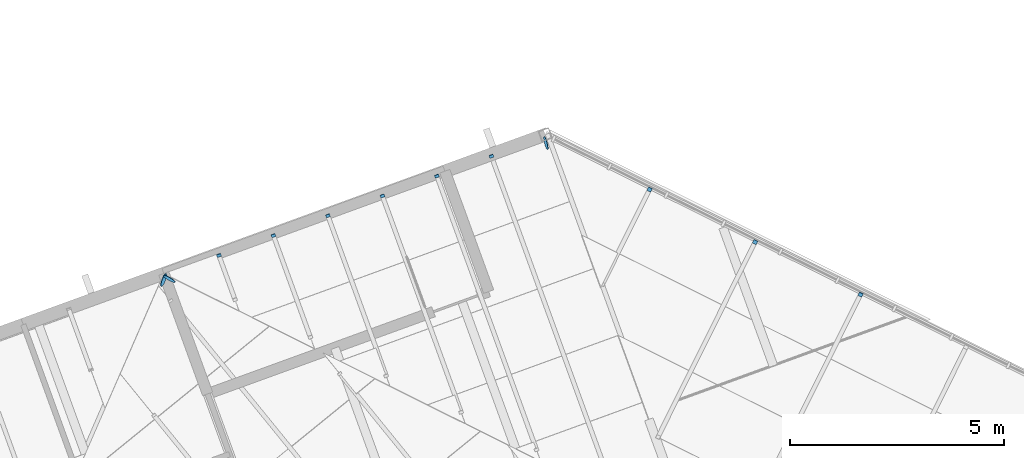
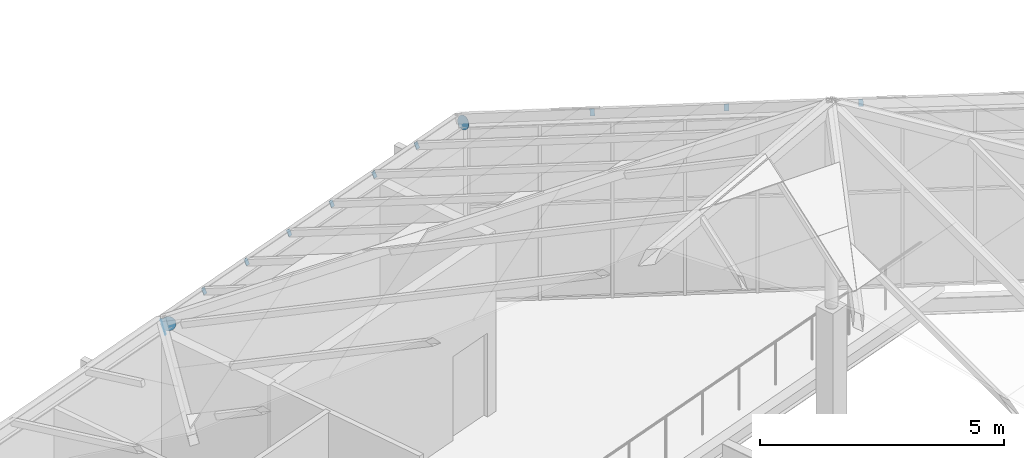
# One storey, part 71 of 95: 12 discrete accessories.
"""IFC4 building model written with IfcOpenShell, lengths in metres."""

from ifc_helpers import new_model, si_unit, direction, frame, origin, origin_2d, place, context, subcontext, project, spatial, rectangle, circle, extrude, material, layer, layer_set, type_object, element, save


model = new_model("IFC4")

# Units and contexts
model_context = context("Model", 3, precision=1e-05, world=origin(), true_north=direction((0.0, 1.0)))
body_context = subcontext(model_context, "Body", "Model", "MODEL_VIEW")
ifc_project = project(units=[si_unit("LENGTHUNIT", "METRE"), si_unit("AREAUNIT", "SQUARE_METRE"), si_unit("VOLUMEUNIT", "CUBIC_METRE"), si_unit("PLANEANGLEUNIT", "RADIAN"), si_unit("MASSUNIT", "GRAM", prefix="KILO")], contexts=[model_context])

# Site, building, storey
site_placement = place(None, origin())
site = spatial("IfcSite", under=ifc_project, at=site_placement, CompositionType="ELEMENT")
building_placement = place(site_placement, origin())
building = spatial("IfcBuilding", under=site, at=building_placement, Name="Windward Yard Aquatics Centre", CompositionType="ELEMENT")
storey_placement = place(building_placement, frame((0.0, 0.0, 9.39990234375)))
storey = spatial("IfcBuildingStorey", under=building, at=storey_placement, Name="L02", CompositionType="ELEMENT", Elevation=9.39990234375)

# Discrete accessories
ifc_material = material(Name="Steel S355", Category="steel")
ifc_layer_1 = layer(ifc_material, 0.010009765625)
ifc_layer_set_1 = layer_set([ifc_layer_1], Name="End cap plate 10 mm RHS100x150x6")
discrete_accessory_type_1 = type_object("IfcDiscreteAccessoryType", Name="End cap plate 10 mm RHS100x150x6", PredefinedType="USERDEFINED", material=ifc_layer_set_1)
discrete_accessory_1_placement = place(storey_placement, frame((36.4208984375, 102.13720703125, 4.653564453125), z_axis=(-0.368827679704, -0.737655359407, 0.565535775546), x_axis=(0.894427191, -0.4472135955, 0.0)))
element("IfcDiscreteAccessory", 1, at=discrete_accessory_1_placement, inside=storey, type_object=discrete_accessory_type_1, Name="End cap", ObjectType="END CAP", PredefinedType="USERDEFINED", context=body_context, shape_type="SweptSolid", body=[
    extrude(rectangle(XDim=0.10009765625, YDim=0.14990234375, at=origin_2d()), origin(), (0.0, 0.0, 1.0), 0.010009765625),
])
discrete_accessory_2_placement = place(storey_placement, frame((30.2451171875, 104.144775390625, 4.645751953125), z_axis=(0.297775000191, -0.843695833875, 0.446662500287), x_axis=(0.942990333583, 0.332820117735, 0.0)))
element("IfcDiscreteAccessory", 2, at=discrete_accessory_2_placement, inside=storey, type_object=discrete_accessory_type_1, Name="End cap", ObjectType="END CAP", PredefinedType="USERDEFINED", context=body_context, shape_type="SweptSolid", body=[
    extrude(rectangle(XDim=0.10009765625, YDim=0.14990234375, at=origin_2d()), origin(), (0.0, 0.0, 1.0), 0.009765625),
])
for number, where, z_axis, x_axis, name in (
    (3, (27.694580078125, 103.216552734375, 4.645751953125), (0.291643812566, -0.850627786651, 0.437465718849), (0.945945945946, 0.324324324324, 0.0), "End cap"),
    (4, (26.419189453125, 102.75244140625, 4.645751953125), (0.313640236425, -0.844416021143, 0.434271096588), (0.93742527201, 0.348186529604, 0.0), "End cap"),
    (5, (28.9697265625, 103.6806640625, 4.645751953125), (0.320134901826, -0.837275897082, 0.44326371022), (0.934051834851, 0.357137466267, 0.0), "End cap"),
    (6, (33.95166015625, 103.36669921875, 4.653564453125), (-0.368827679704, -0.737655359407, 0.565535775546), (0.894427191, -0.4472135955, 0.0), "End cap"),
    (7, (25.143798828125, 102.2880859375, 4.645751953125), (0.320134901826, -0.837275897082, 0.44326371022), (0.934051834851, 0.357137466267, 0.0), "End cap"),
):
    element("IfcDiscreteAccessory", number, at=place(storey_placement, frame(where, z_axis=z_axis, x_axis=x_axis)), inside=storey, type_object=discrete_accessory_type_1, Name=name, ObjectType="END CAP", PredefinedType="USERDEFINED", context=body_context, shape_type="SweptSolid", body=[
        extrude(rectangle(XDim=0.10009765625, YDim=0.14990234375, at=origin_2d()), origin(), (0.0, 0.0, 1.0), 0.010009765625),
    ])
discrete_accessory_3_placement = place(storey_placement, frame((23.86865234375, 101.823974609375, 4.645751953125), z_axis=(0.297775000191, -0.843695833875, 0.446662500287), x_axis=(0.942990333583, 0.332820117735, 0.0)))
element("IfcDiscreteAccessory", 8, at=discrete_accessory_3_placement, inside=storey, type_object=discrete_accessory_type_1, Name="End cap", ObjectType="END CAP", PredefinedType="USERDEFINED", context=body_context, shape_type="SweptSolid", body=[
    extrude(rectangle(XDim=0.10009765625, YDim=0.14990234375, at=origin_2d()), origin(), (0.0, 0.0, 1.0), 0.009765625),
])
discrete_accessory_4_placement = place(storey_placement, frame((38.890380859375, 100.90771484375, 4.653564453125), z_axis=(-0.368827679704, -0.737655359407, 0.565535775546), x_axis=(0.894427191, -0.4472135955, 0.0)))
element("IfcDiscreteAccessory", 9, at=discrete_accessory_4_placement, inside=storey, type_object=discrete_accessory_type_1, Name="End cap", ObjectType="END CAP", PredefinedType="USERDEFINED", context=body_context, shape_type="SweptSolid", body=[
    extrude(rectangle(XDim=0.10009765625, YDim=0.14990234375, at=origin_2d()), origin(), (0.0, 0.0, 1.0), 0.010009765625),
])
ifc_layer_2 = layer(ifc_material, 0.011962890625)
ifc_layer_set_2 = layer_set([ifc_layer_2], Name="Gusset plate 320 mm disc 12 mm, roof frames")
discrete_accessory_type_2 = type_object("IfcDiscreteAccessoryType", Name="Gusset plate 320 mm disc 12 mm, roof frames", PredefinedType="USERDEFINED", material=ifc_layer_set_2)
for number, where, z_axis, x_axis, name in (
    (10, (31.530517578125, 104.45166015625, 4.5859375), (-0.952659211219, -0.243232139035, 0.182424104276), (0.247383245266, -0.968917710624, 0.0), "Gusset plate"),
    (11, (22.711669921875, 101.2783203125, 4.565185546875), (-0.494346484946, -0.84450857845, 0.205977702061), (0.863014469347, -0.505179201569, 0.0), "Gusset plate"),
):
    element("IfcDiscreteAccessory", number, at=place(storey_placement, frame(where, z_axis=z_axis, x_axis=x_axis)), inside=storey, type_object=discrete_accessory_type_2, Name=name, ObjectType="GUSSET PLATE", PredefinedType="USERDEFINED", context=body_context, shape_type="SweptSolid", body=[
        extrude(circle(Radius=0.159912109375, at=origin_2d()), origin(), (0.0, 0.0, 1.0), 0.011962890625),
    ])
discrete_accessory_5_placement = place(storey_placement, frame((22.58251953125, 101.2451171875, 4.543701171875), z_axis=(-0.907656609489, 0.342892496918, -0.24204176253), x_axis=(-0.353400568719, -0.935472093667, 0.0)))
element("IfcDiscreteAccessory", 12, at=discrete_accessory_5_placement, inside=storey, type_object=discrete_accessory_type_2, Name="Gusset plate", ObjectType="GUSSET PLATE", PredefinedType="USERDEFINED", context=body_context, shape_type="SweptSolid", body=[
    extrude(circle(Radius=0.159912109375, at=origin_2d()), origin(), (0.0, 0.0, 1.0), 0.01220703125),
])

save(model, "model.ifc")
